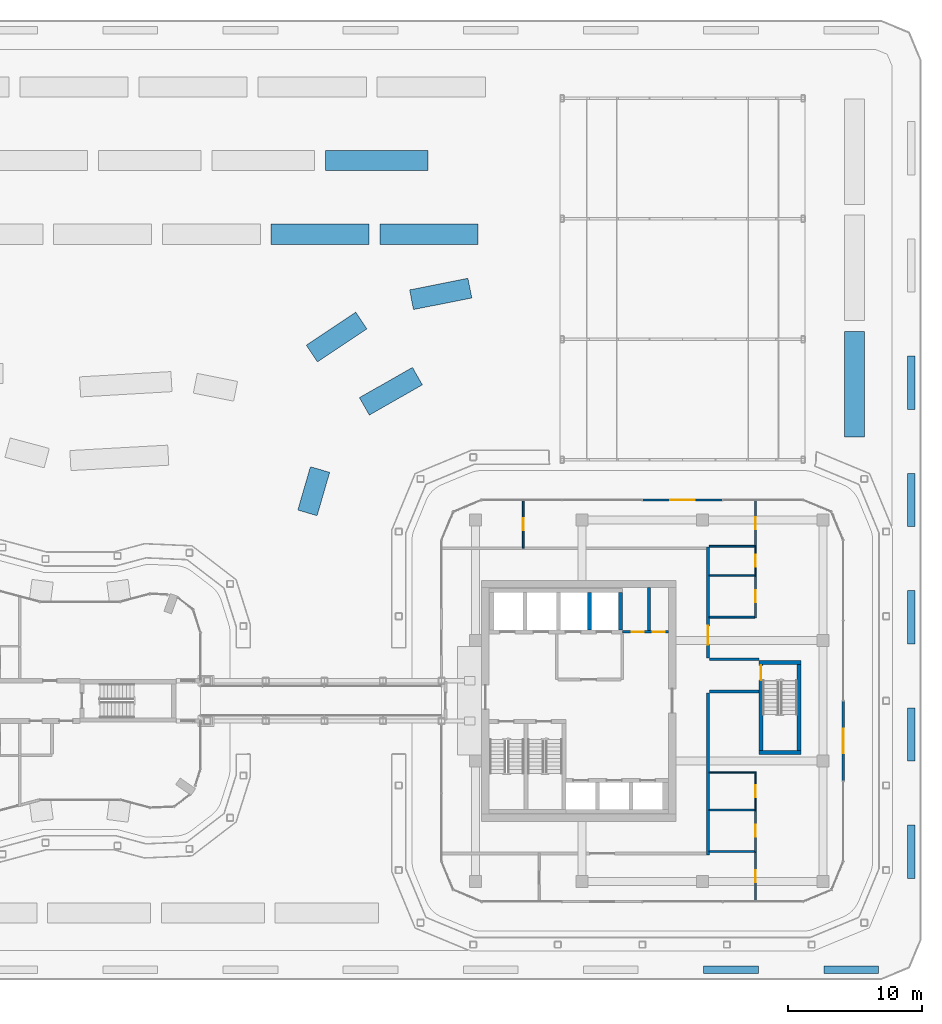
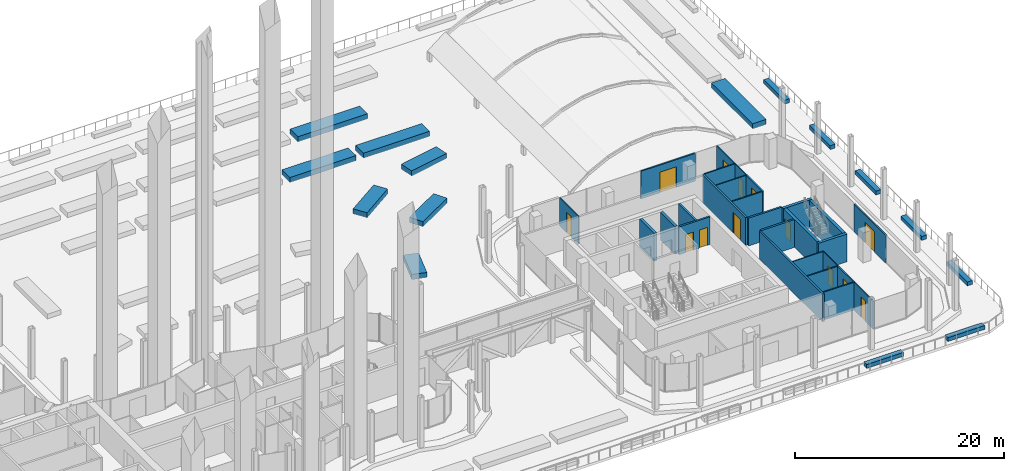
# One storey, part 28 of 33: 42 walls, 13 doors, 13 openings.
"""IFC4 building model written with IfcOpenShell, lengths in metres."""

from ifc_helpers import new_model, si_unit, direction, frame, frame_2d, origin, place, context, subcontext, project, spatial, rectangle, extrude, material, layer, layer_set, type_object, element, fill, save


model = new_model("IFC4")

# Units and contexts
model_context = context("Model", 3, precision=1e-05, world=origin(), true_north=direction((0.0, 1.0)))
body_context = subcontext(model_context, "Body", "Model", "MODEL_VIEW")
ifc_project = project(units=[si_unit("LENGTHUNIT", "METRE"), si_unit("AREAUNIT", "SQUARE_METRE"), si_unit("VOLUMEUNIT", "CUBIC_METRE"), si_unit("PLANEANGLEUNIT", "RADIAN"), si_unit("MASSUNIT", "GRAM", prefix="KILO")], contexts=[model_context])

# Site, building, storey
site_placement = place(None, origin())
site = spatial("IfcSite", under=ifc_project, at=site_placement, CompositionType="ELEMENT")
building_placement = place(site_placement, origin())
building = spatial("IfcBuilding", under=site, at=building_placement, Name="Plateau Cross Towers", CompositionType="ELEMENT")
storey_placement = place(building_placement, frame((0.0, 0.0, 26.800048828125)))
storey = spatial("IfcBuildingStorey", under=building, at=storey_placement, Name="L05", CompositionType="ELEMENT", Elevation=26.800048828125)

# Wall, openings, doors
ifc_material_1 = material(Name="Concrete block, plastered both sides", Category="concrete")
ifc_layer_1 = layer(ifc_material_1, 0.199951171875)
ifc_layer_set_1 = layer_set([ifc_layer_1], Name="Concrete block, plastered both sides")
wall_type_1 = type_object("IfcWallType", Name="Core partition 200", PredefinedType="PARTITIONING", material=ifc_layer_set_1)
wall_1_placement = place(storey_placement, frame((85.5, 14.14990234375, 0.0), z_axis=(0.0, 0.0, 1.0), x_axis=(1.0, 0.0, 0.0)))
wall_1 = element("IfcWall", 1, at=wall_1_placement, inside=storey, type_object=wall_type_1, Name="Core partition", PredefinedType="PARTITIONING", context=body_context, shape_type="SweptSolid", body=[
    extrude(rectangle(XDim=3.449951171875, YDim=0.199951171875, at=frame_2d((1.72509765625, 0.0))), origin(), (0.0, 0.0, 1.0), 3.25),
])
opening_1_placement = place(wall_1_placement, frame((0.699951171875, 0.0, 0.0)))
opening_1 = element("IfcOpeningElement", 2, at=opening_1_placement, cuts=wall_1, Name="Opening RD2", PredefinedType="OPENING", context=body_context, shape_type="SweptSolid", body=[
    extrude(rectangle(XDim=0.89990234375, YDim=2.10009765625, at=frame_2d((0.449951171875, 1.050048828125))), frame((0.0, 0.10986328125, 0.0), z_axis=(0.0, -1.0, 0.0), x_axis=(1.0, 0.0, 0.0)), (0.0, 0.0, 1.0), 0.219970703125),
])
opening_2_placement = place(wall_1_placement, frame((2.27490234375, 0.0, 0.0)))
opening_2 = element("IfcOpeningElement", 3, at=opening_2_placement, cuts=wall_1, Name="Opening RD2", PredefinedType="OPENING", context=body_context, shape_type="SweptSolid", body=[
    extrude(rectangle(XDim=0.89990234375, YDim=2.10009765625, at=frame_2d((0.449951171875, 1.050048828125))), frame((0.0, 0.10986328125, 0.0), z_axis=(0.0, -1.0, 0.0), x_axis=(1.0, 0.0, 0.0)), (0.0, 0.0, 1.0), 0.219970703125),
])
ifc_material_2 = material(Name="Steel, fire-resisting leaf", Category="steel")
door_type_1 = type_object("IfcDoorType", Name="Core riser door 900", OperationType="NOTDEFINED", PredefinedType="DOOR", material=ifc_material_2)
door_1_placement = place(opening_1_placement, origin())
door_1 = element("IfcDoor", 4, at=door_1_placement, inside=storey, type_object=door_type_1, Name="Core riser door RD2", OperationType="SINGLE_SWING_LEFT", OverallHeight=2.10009765625, OverallWidth=0.89990234375, PredefinedType="DOOR", context=body_context, shape_type="SweptSolid", body=[
    extrude(rectangle(XDim=0.89990234375, YDim=2.10009765625, at=frame_2d((0.449951171875, 1.050048828125))), frame((0.0, 0.02490234375, 0.0), z_axis=(0.0, -1.0, 0.0), x_axis=(1.0, 0.0, 0.0)), (0.0, 0.0, 1.0), 0.050048828125),
])
fill(opening_1, door_1)
door_2_placement = place(opening_2_placement, origin())
door_2 = element("IfcDoor", 5, at=door_2_placement, inside=storey, type_object=door_type_1, Name="Core riser door RD2", OperationType="SINGLE_SWING_LEFT", OverallHeight=2.10009765625, OverallWidth=0.89990234375, PredefinedType="DOOR", context=body_context, shape_type="SweptSolid", body=[
    extrude(rectangle(XDim=0.89990234375, YDim=2.10009765625, at=frame_2d((0.449951171875, 1.050048828125))), frame((0.0, 0.02490234375, 0.0), z_axis=(0.0, -1.0, 0.0), x_axis=(1.0, 0.0, 0.0)), (0.0, 0.0, 1.0), 0.050048828125),
])
fill(opening_2, door_2)

# Walls
wall_2_placement = place(storey_placement, frame((87.5, 14.25, 0.0), z_axis=(0.0, 0.0, 1.0), x_axis=(0.0, 1.0, 0.0)))
element("IfcWall", 6, at=wall_2_placement, inside=storey, type_object=wall_type_1, Name="Core partition", PredefinedType="PARTITIONING", context=body_context, shape_type="SweptSolid", body=[
    extrude(rectangle(XDim=3.199951171875, YDim=0.199951171875, at=frame_2d((1.60009765625, 0.0))), origin(), (0.0, 0.0, 1.0), 3.25),
])
ifc_material_3 = material(Name="Concrete C60/75", Category="concrete")
ifc_layer_2 = layer(ifc_material_3, 0.300048828125)
ifc_layer_set_2 = layer_set([ifc_layer_2], Name="Concrete C60/75")
wall_type_2 = type_object("IfcWallType", Name="Core shaft wall 300", PredefinedType="SHEAR", material=ifc_layer_set_2)
for number, where, z_axis, x_axis, name in (
    (7, (83.050048828125, 14.300048828125, 0.0), (0.0, 0.0, 1.0), (0.0, 1.0, 0.0), "B-nb-v3@L05"),
    (8, (85.35009765625, 14.300048828125, 0.0), (0.0, 0.0, 1.0), (0.0, 1.0, 0.0), "B-nb-v4@L05"),
):
    element("IfcWall", number, at=place(storey_placement, frame(where, z_axis=z_axis, x_axis=x_axis)), inside=storey, type_object=wall_type_2, Name=name, PredefinedType="SHEAR", context=body_context, shape_type="SweptSolid", body=[
        extrude(rectangle(XDim=2.800048828125, YDim=0.300048828125, at=frame_2d((1.39990234375, 0.0))), origin(), (0.0, 0.0, 1.0), 3.25),
    ])

# Wall, opening, door
wall_3_placement = place(storey_placement, frame((95.85009765625, 5.300048828125, 0.0), z_axis=(0.0, 0.0, 1.0), x_axis=(0.0, 1.0, 0.0)))
wall_3 = element("IfcWall", 9, at=wall_3_placement, inside=storey, type_object=wall_type_2, Name="B-sb3-W@L05", PredefinedType="SHEAR", context=body_context, shape_type="SweptSolid", body=[
    extrude(rectangle(XDim=6.39990234375, YDim=0.300048828125, at=frame_2d((3.199951171875, 0.0))), origin(), (0.0, 0.0, 1.0), 3.25),
])
opening_3_placement = place(wall_3_placement, frame((5.25, 0.0, 0.0)))
opening_3 = element("IfcOpeningElement", 10, at=opening_3_placement, cuts=wall_3, Name="Opening SD", PredefinedType="OPENING", context=body_context, shape_type="SweptSolid", body=[
    extrude(rectangle(XDim=1.10009765625, YDim=2.10009765625, at=frame_2d((0.550048828125, 1.050048828125))), frame((0.0, 0.159912109375, 0.0), z_axis=(0.0, -1.0, 0.0), x_axis=(1.0, 0.0, 0.0)), (0.0, 0.0, 1.0), 0.320068359375),
])
door_type_2 = type_object("IfcDoorType", Name="Stair door 1100", OperationType="NOTDEFINED", PredefinedType="DOOR", material=ifc_material_2)
door_3_placement = place(opening_3_placement, origin())
door_3 = element("IfcDoor", 11, at=door_3_placement, inside=storey, type_object=door_type_2, Name="Stair door SD", OperationType="SINGLE_SWING_LEFT", OverallHeight=2.10009765625, OverallWidth=1.10009765625, PredefinedType="DOOR", context=body_context, shape_type="SweptSolid", body=[
    extrude(rectangle(XDim=1.10009765625, YDim=2.10009765625, at=frame_2d((0.550048828125, 1.050048828125))), frame((0.0, 0.02490234375, 0.0), z_axis=(0.0, -1.0, 0.0), x_axis=(1.0, 0.0, 0.0)), (0.0, 0.0, 1.0), 0.050048828125),
])
fill(opening_3, door_3)

# Walls
wall_4_placement = place(storey_placement, frame((98.699951171875, 5.300048828125, 0.0), z_axis=(0.0, 0.0, 1.0), x_axis=(0.0, 1.0, 0.0)))
element("IfcWall", 12, at=wall_4_placement, inside=storey, type_object=wall_type_2, Name="B-sb3-E@L05", PredefinedType="SHEAR", context=body_context, shape_type="SweptSolid", body=[
    extrude(rectangle(XDim=6.39990234375, YDim=0.300048828125, at=frame_2d((3.199951171875, 0.0))), origin(), (0.0, 0.0, 1.0), 3.25),
])
for number, where, z_axis, x_axis, name in (
    (13, (95.699951171875, 5.14990234375, 0.0), (0.0, 0.0, 1.0), (1.0, 0.0, 0.0), "B-sb3-S@L05"),
    (14, (95.699951171875, 11.85009765625, 0.0), (0.0, 0.0, 1.0), (1.0, 0.0, 0.0), "B-sb3-N@L05"),
):
    element("IfcWall", number, at=place(storey_placement, frame(where, z_axis=z_axis, x_axis=x_axis)), inside=storey, type_object=wall_type_2, Name=name, PredefinedType="SHEAR", context=body_context, shape_type="SweptSolid", body=[
        extrude(rectangle(XDim=3.150146484375, YDim=0.300048828125, at=frame_2d((1.5751953125, 0.0))), origin(), (0.0, 0.0, 1.0), 3.25),
    ])
ifc_material_4 = material(Name="Gypsum board on steel studs, two layers each side", Category="steel")
ifc_layer_3 = layer(ifc_material_4, 0.199951171875)
ifc_layer_set_3 = layer_set([ifc_layer_3], Name="Gypsum board on steel studs, two layers each side")
wall_type_3 = type_object("IfcWallType", Name="Corridor wall 200", PredefinedType="PARTITIONING", material=ifc_layer_set_3)
wall_5_placement = place(storey_placement, frame((91.89990234375, -2.5, 0.0), z_axis=(0.0, 0.0, 1.0), x_axis=(0.0, 1.0, 0.0)))
element("IfcWall", 15, at=wall_5_placement, inside=storey, type_object=wall_type_3, Name="Ring wall", PredefinedType="PARTITIONING", context=body_context, shape_type="SweptSolid", body=[
    extrude(rectangle(XDim=12.10009765625, YDim=0.199951171875, at=frame_2d((6.050048828125, 0.0))), origin(), (0.0, 0.0, 1.0), 3.25),
])

# Wall, opening, door
wall_6_placement = place(storey_placement, frame((91.89990234375, 12.199951171875, 0.0), z_axis=(0.0, 0.0, 1.0), x_axis=(0.0, 1.0, 0.0)))
wall_6 = element("IfcWall", 16, at=wall_6_placement, inside=storey, type_object=wall_type_3, Name="Ring wall", PredefinedType="PARTITIONING", context=body_context, shape_type="SweptSolid", body=[
    extrude(rectangle(XDim=8.300048828125, YDim=0.199951171875, at=frame_2d((4.14990234375, 0.0))), origin(), (0.0, 0.0, 1.0), 3.25),
])
opening_4_placement = place(wall_6_placement, frame((1.0, 0.0, 0.0)))
opening_4 = element("IfcOpeningElement", 17, at=opening_4_placement, cuts=wall_6, Name="Opening D-BE14", PredefinedType="OPENING", context=body_context, shape_type="SweptSolid", body=[
    extrude(rectangle(XDim=1.39990234375, YDim=2.39990234375, at=frame_2d((0.699951171875, 1.199951171875))), frame((0.0, 0.10986328125, 0.0), z_axis=(0.0, -1.0, 0.0), x_axis=(1.0, 0.0, 0.0)), (0.0, 0.0, 1.0), 0.219970703125),
])
ifc_material_5 = material(Name="Timber, fire-resisting leaves", Category="wood")
door_type_3 = type_object("IfcDoorType", Name="Tenant entrance double-leaf 1400x2400", OperationType="NOTDEFINED", PredefinedType="DOOR", material=ifc_material_5)
door_4_placement = place(opening_4_placement, origin())
door_4 = element("IfcDoor", 18, at=door_4_placement, inside=storey, type_object=door_type_3, Name="Door D-BE14", OperationType="DOUBLE_DOOR_SINGLE_SWING", OverallHeight=2.39990234375, OverallWidth=1.39990234375, PredefinedType="DOOR", context=body_context, shape_type="SweptSolid", body=[
    extrude(rectangle(XDim=1.39990234375, YDim=2.39990234375, at=frame_2d((0.699951171875, 1.199951171875))), frame((0.0, 0.02490234375, 0.0), z_axis=(0.0, -1.0, 0.0), x_axis=(1.0, 0.0, 0.0)), (0.0, 0.0, 1.0), 0.050048828125),
])
fill(opening_4, door_4)

# Walls
for number, where, z_axis, x_axis, name in (
    (19, (92.0, 9.699951171875, 0.0), (0.0, 0.0, 1.0), (1.0, 0.0, 0.0), "Ring wall"),
    (20, (92.0, 12.10009765625, 0.0), (0.0, 0.0, 1.0), (1.0, 0.0, 0.0), "Ring wall"),
):
    element("IfcWall", number, at=place(storey_placement, frame(where, z_axis=z_axis, x_axis=x_axis)), inside=storey, type_object=wall_type_3, Name=name, PredefinedType="PARTITIONING", context=body_context, shape_type="SweptSolid", body=[
        extrude(rectangle(XDim=3.699951171875, YDim=0.199951171875, at=frame_2d((1.85009765625, 0.0))), origin(), (0.0, 0.0, 1.0), 3.25),
    ])

# Wall, opening, door
ifc_material_6 = material(Name="Aluminium framed glazing", Category="aluminium")
ifc_layer_4 = layer(ifc_material_6, 0.159912109375)
ifc_layer_set_4 = layer_set([ifc_layer_4], Name="Aluminium framed glazing")
wall_type_4 = type_object("IfcWallType", Name="Entrance screen wall 160", PredefinedType="STANDARD", material=ifc_layer_set_4)
wall_7_placement = place(storey_placement, frame((102.0, 9.0, 0.0), z_axis=(0.0, 0.0, 1.0), x_axis=(0.0, -1.0, 0.0)))
wall_7 = element("IfcWall", 21, at=wall_7_placement, inside=storey, type_object=wall_type_4, Name="Deck B2 screen wall", PredefinedType="STANDARD", context=body_context, shape_type="SweptSolid", body=[
    extrude(rectangle(XDim=6.0, YDim=0.159912109375, at=frame_2d((3.0, 0.0))), origin(), (0.0, 0.0, 1.0), 3.25),
])
opening_5_placement = place(wall_7_placement, frame((2.10009765625, 0.0, 0.0)))
opening_5 = element("IfcOpeningElement", 22, at=opening_5_placement, cuts=wall_7, Name="Opening XD1", PredefinedType="OPENING", context=body_context, shape_type="SweptSolid", body=[
    extrude(rectangle(XDim=1.800048828125, YDim=2.39990234375, at=frame_2d((0.89990234375, 1.199951171875))), frame((0.0, 0.08984375, 0.0), z_axis=(0.0, -1.0, 0.0), x_axis=(1.0, 0.0, 0.0)), (0.0, 0.0, 1.0), 0.179931640625),
])
door_type_4 = type_object("IfcDoorType", Name="Terrace door double leaf 1800x2400", OperationType="DOUBLE_DOOR_SINGLE_SWING", PredefinedType="DOOR", material=ifc_material_6)
door_5_placement = place(opening_5_placement, origin())
door_5 = element("IfcDoor", 23, at=door_5_placement, inside=storey, type_object=door_type_4, Name="Deck B2 door", OperationType="SINGLE_SWING_LEFT", OverallHeight=2.39990234375, OverallWidth=1.800048828125, PredefinedType="DOOR", context=body_context, shape_type="SweptSolid", body=[
    extrude(rectangle(XDim=1.800048828125, YDim=2.39990234375, at=frame_2d((0.89990234375, 1.199951171875))), frame((0.0, 0.02490234375, 0.0), z_axis=(0.0, -1.0, 0.0), x_axis=(1.0, 0.0, 0.0)), (0.0, 0.0, 1.0), 0.050048828125),
])
fill(opening_5, door_5)

wall_8_placement = place(storey_placement, frame((87.0, 24.0, 0.0), z_axis=(0.0, 0.0, 1.0), x_axis=(1.0, 0.0, 0.0)))
wall_8 = element("IfcWall", 24, at=wall_8_placement, inside=storey, type_object=wall_type_4, Name="Deck B3 screen wall", PredefinedType="STANDARD", context=body_context, shape_type="SweptSolid", body=[
    extrude(rectangle(XDim=6.0, YDim=0.159912109375, at=frame_2d((3.0, 0.0))), origin(), (0.0, 0.0, 1.0), 3.25),
])
opening_6_placement = place(wall_8_placement, frame((2.10009765625, 0.0, 0.0)))
opening_6 = element("IfcOpeningElement", 25, at=opening_6_placement, cuts=wall_8, Name="Opening XD1", PredefinedType="OPENING", context=body_context, shape_type="SweptSolid", body=[
    extrude(rectangle(XDim=1.800048828125, YDim=2.39990234375, at=frame_2d((0.89990234375, 1.199951171875))), frame((0.0, 0.08984375, 0.0), z_axis=(0.0, -1.0, 0.0), x_axis=(1.0, 0.0, 0.0)), (0.0, 0.0, 1.0), 0.179931640625),
])
door_6_placement = place(opening_6_placement, origin())
door_6 = element("IfcDoor", 26, at=door_6_placement, inside=storey, type_object=door_type_4, Name="Deck B3 door", OperationType="SINGLE_SWING_LEFT", OverallHeight=2.39990234375, OverallWidth=1.800048828125, PredefinedType="DOOR", context=body_context, shape_type="SweptSolid", body=[
    extrude(rectangle(XDim=1.800048828125, YDim=2.39990234375, at=frame_2d((0.89990234375, 1.199951171875))), frame((0.0, 0.02490234375, 0.0), z_axis=(0.0, -1.0, 0.0), x_axis=(1.0, 0.0, 0.0)), (0.0, 0.0, 1.0), 0.050048828125),
])
fill(opening_6, door_6)

ifc_material_7 = material(Name="Gypsum board on staggered steel studs, mineral wool, two layers each side", Category="steel")
ifc_layer_5 = layer(ifc_material_7, 0.139892578125)
ifc_layer_set_5 = layer_set([ifc_layer_5], Name="Gypsum board on staggered steel studs, mineral wool, two layers each side")
wall_type_5 = type_object("IfcWallType", Name="Meeting room acoustic partition 140", PredefinedType="PARTITIONING", material=ifc_layer_set_5)
wall_9_placement = place(storey_placement, frame((95.449951171875, -6.0, 0.0), z_axis=(0.0, 0.0, 1.0), x_axis=(0.0, 1.0, 0.0)))
wall_9 = element("IfcWall", 27, at=wall_9_placement, inside=storey, type_object=wall_type_5, Name="Acoustic wall", PredefinedType="PARTITIONING", context=body_context, shape_type="SweptSolid", body=[
    extrude(rectangle(XDim=3.800048828125, YDim=0.139892578125, at=frame_2d((1.89990234375, 0.0))), origin(), (0.0, 0.0, 1.0), 3.25),
])
opening_7_placement = place(wall_9_placement, frame((1.449951171875, 0.0, 0.0)))
opening_7 = element("IfcOpeningElement", 28, at=opening_7_placement, cuts=wall_9, Name="Opening D-BM9", PredefinedType="OPENING", context=body_context, shape_type="SweptSolid", body=[
    extrude(rectangle(XDim=0.89990234375, YDim=2.39990234375, at=frame_2d((0.449951171875, 1.199951171875))), frame((0.0, 0.079833984375, 0.0), z_axis=(0.0, -1.0, 0.0), x_axis=(1.0, 0.0, 0.0)), (0.0, 0.0, 1.0), 0.159912109375),
])
ifc_material_8 = material(Name="Timber leaf, full height", Category="wood")
door_type_5 = type_object("IfcDoorType", Name="Meeting room door 900x2400", OperationType="NOTDEFINED", PredefinedType="DOOR", material=ifc_material_8)
door_7_placement = place(opening_7_placement, origin())
door_7 = element("IfcDoor", 29, at=door_7_placement, inside=storey, type_object=door_type_5, Name="Door D-BM9", OperationType="SINGLE_SWING_LEFT", OverallHeight=2.39990234375, OverallWidth=0.89990234375, PredefinedType="DOOR", context=body_context, shape_type="SweptSolid", body=[
    extrude(rectangle(XDim=0.89990234375, YDim=2.39990234375, at=frame_2d((0.449951171875, 1.199951171875))), frame((0.0, 0.02490234375, 0.0), z_axis=(0.0, -1.0, 0.0), x_axis=(1.0, 0.0, 0.0)), (0.0, 0.0, 1.0), 0.050048828125),
])
fill(opening_7, door_7)

# Wall
wall_10_placement = place(storey_placement, frame((92.0, -2.25, 0.0), z_axis=(0.0, 0.0, 1.0), x_axis=(1.0, 0.0, 0.0)))
element("IfcWall", 30, at=wall_10_placement, inside=storey, type_object=wall_type_5, Name="Acoustic wall", PredefinedType="PARTITIONING", context=body_context, shape_type="SweptSolid", body=[
    extrude(rectangle(XDim=3.3798828125, YDim=0.139892578125, at=frame_2d((1.68994140625, 0.0))), origin(), (0.0, 0.0, 1.0), 3.25),
])

# Wall, opening, door
wall_11_placement = place(storey_placement, frame((95.449951171875, -2.300048828125, 0.0), z_axis=(0.0, 0.0, 1.0), x_axis=(0.0, 1.0, 0.0)))
wall_11 = element("IfcWall", 31, at=wall_11_placement, inside=storey, type_object=wall_type_5, Name="Acoustic wall", PredefinedType="PARTITIONING", context=body_context, shape_type="SweptSolid", body=[
    extrude(rectangle(XDim=3.199951171875, YDim=0.139892578125, at=frame_2d((1.60009765625, 0.0))), origin(), (0.0, 0.0, 1.0), 3.25),
])
opening_8_placement = place(wall_11_placement, frame((1.14990234375, 0.0, 0.0)))
opening_8 = element("IfcOpeningElement", 32, at=opening_8_placement, cuts=wall_11, Name="Opening D-BM9", PredefinedType="OPENING", context=body_context, shape_type="SweptSolid", body=[
    extrude(rectangle(XDim=0.89990234375, YDim=2.39990234375, at=frame_2d((0.449951171875, 1.199951171875))), frame((0.0, 0.079833984375, 0.0), z_axis=(0.0, -1.0, 0.0), x_axis=(1.0, 0.0, 0.0)), (0.0, 0.0, 1.0), 0.159912109375),
])
door_8_placement = place(opening_8_placement, origin())
door_8 = element("IfcDoor", 33, at=door_8_placement, inside=storey, type_object=door_type_5, Name="Door D-BM9", OperationType="SINGLE_SWING_LEFT", OverallHeight=2.39990234375, OverallWidth=0.89990234375, PredefinedType="DOOR", context=body_context, shape_type="SweptSolid", body=[
    extrude(rectangle(XDim=0.89990234375, YDim=2.39990234375, at=frame_2d((0.449951171875, 1.199951171875))), frame((0.0, 0.02490234375, 0.0), z_axis=(0.0, -1.0, 0.0), x_axis=(1.0, 0.0, 0.0)), (0.0, 0.0, 1.0), 0.050048828125),
])
fill(opening_8, door_8)

# Wall
wall_12_placement = place(storey_placement, frame((92.0, 0.85009765625, 0.0), z_axis=(0.0, 0.0, 1.0), x_axis=(1.0, 0.0, 0.0)))
element("IfcWall", 34, at=wall_12_placement, inside=storey, type_object=wall_type_5, Name="Acoustic wall", PredefinedType="PARTITIONING", context=body_context, shape_type="SweptSolid", body=[
    extrude(rectangle(XDim=3.3798828125, YDim=0.139892578125, at=frame_2d((1.68994140625, 0.0))), origin(), (0.0, 0.0, 1.0), 3.25),
])

# Wall, opening, door
wall_13_placement = place(storey_placement, frame((95.449951171875, 20.5, 0.0), z_axis=(0.0, 0.0, 1.0), x_axis=(0.0, 1.0, 0.0)))
wall_13 = element("IfcWall", 35, at=wall_13_placement, inside=storey, type_object=wall_type_5, Name="Acoustic wall", PredefinedType="PARTITIONING", context=body_context, shape_type="SweptSolid", body=[
    extrude(rectangle(XDim=3.5, YDim=0.139892578125, at=frame_2d((1.75, 0.0))), origin(), (0.0, 0.0, 1.0), 3.25),
])
opening_9_placement = place(wall_13_placement, frame((1.300048828125, 0.0, 0.0)))
opening_9 = element("IfcOpeningElement", 36, at=opening_9_placement, cuts=wall_13, Name="Opening D-BM9", PredefinedType="OPENING", context=body_context, shape_type="SweptSolid", body=[
    extrude(rectangle(XDim=0.89990234375, YDim=2.39990234375, at=frame_2d((0.449951171875, 1.199951171875))), frame((0.0, 0.079833984375, 0.0), z_axis=(0.0, -1.0, 0.0), x_axis=(1.0, 0.0, 0.0)), (0.0, 0.0, 1.0), 0.159912109375),
])
door_9_placement = place(opening_9_placement, origin())
door_9 = element("IfcDoor", 37, at=door_9_placement, inside=storey, type_object=door_type_5, Name="Door D-BM9", OperationType="SINGLE_SWING_LEFT", OverallHeight=2.39990234375, OverallWidth=0.89990234375, PredefinedType="DOOR", context=body_context, shape_type="SweptSolid", body=[
    extrude(rectangle(XDim=0.89990234375, YDim=2.39990234375, at=frame_2d((0.449951171875, 1.199951171875))), frame((0.0, 0.02490234375, 0.0), z_axis=(0.0, -1.0, 0.0), x_axis=(1.0, 0.0, 0.0)), (0.0, 0.0, 1.0), 0.050048828125),
])
fill(opening_9, door_9)

# Wall
wall_14_placement = place(storey_placement, frame((92.0, 20.550048828125, 0.0), z_axis=(0.0, 0.0, 1.0), x_axis=(1.0, 0.0, 0.0)))
element("IfcWall", 38, at=wall_14_placement, inside=storey, type_object=wall_type_5, Name="Acoustic wall", PredefinedType="PARTITIONING", context=body_context, shape_type="SweptSolid", body=[
    extrude(rectangle(XDim=3.3798828125, YDim=0.139892578125, at=frame_2d((1.68994140625, 0.0))), origin(), (0.0, 0.0, 1.0), 3.25),
])

# Wall, opening, door
wall_15_placement = place(storey_placement, frame((95.449951171875, 15.199951171875, 0.0), z_axis=(0.0, 0.0, 1.0), x_axis=(0.0, 1.0, 0.0)))
wall_15 = element("IfcWall", 39, at=wall_15_placement, inside=storey, type_object=wall_type_5, Name="Acoustic wall", PredefinedType="PARTITIONING", context=body_context, shape_type="SweptSolid", body=[
    extrude(rectangle(XDim=3.199951171875, YDim=0.139892578125, at=frame_2d((1.60009765625, 0.0))), origin(), (0.0, 0.0, 1.0), 3.25),
])
opening_10_placement = place(wall_15_placement, frame((1.14990234375, 0.0, 0.0)))
opening_10 = element("IfcOpeningElement", 40, at=opening_10_placement, cuts=wall_15, Name="Opening D-BM9", PredefinedType="OPENING", context=body_context, shape_type="SweptSolid", body=[
    extrude(rectangle(XDim=0.89990234375, YDim=2.39990234375, at=frame_2d((0.449951171875, 1.199951171875))), frame((0.0, 0.079833984375, 0.0), z_axis=(0.0, -1.0, 0.0), x_axis=(1.0, 0.0, 0.0)), (0.0, 0.0, 1.0), 0.159912109375),
])
door_10_placement = place(opening_10_placement, origin())
door_10 = element("IfcDoor", 41, at=door_10_placement, inside=storey, type_object=door_type_5, Name="Door D-BM9", OperationType="SINGLE_SWING_LEFT", OverallHeight=2.39990234375, OverallWidth=0.89990234375, PredefinedType="DOOR", context=body_context, shape_type="SweptSolid", body=[
    extrude(rectangle(XDim=0.89990234375, YDim=2.39990234375, at=frame_2d((0.449951171875, 1.199951171875))), frame((0.0, 0.02490234375, 0.0), z_axis=(0.0, -1.0, 0.0), x_axis=(1.0, 0.0, 0.0)), (0.0, 0.0, 1.0), 0.050048828125),
])
fill(opening_10, door_10)

# Wall
wall_16_placement = place(storey_placement, frame((92.0, 15.25, 0.0), z_axis=(0.0, 0.0, 1.0), x_axis=(1.0, 0.0, 0.0)))
element("IfcWall", 42, at=wall_16_placement, inside=storey, type_object=wall_type_5, Name="Acoustic wall", PredefinedType="PARTITIONING", context=body_context, shape_type="SweptSolid", body=[
    extrude(rectangle(XDim=3.3798828125, YDim=0.139892578125, at=frame_2d((1.68994140625, 0.0))), origin(), (0.0, 0.0, 1.0), 3.25),
])

# Wall, opening, door
wall_17_placement = place(storey_placement, frame((78.10009765625, 20.39990234375, 0.0), z_axis=(0.0, 0.0, 1.0), x_axis=(0.0, 1.0, 0.0)))
wall_17 = element("IfcWall", 43, at=wall_17_placement, inside=storey, type_object=wall_type_5, Name="Acoustic wall", PredefinedType="PARTITIONING", context=body_context, shape_type="SweptSolid", body=[
    extrude(rectangle(XDim=3.60009765625, YDim=0.139892578125, at=frame_2d((1.800048828125, 0.0))), origin(), (0.0, 0.0, 1.0), 3.25),
])
opening_11_placement = place(wall_17_placement, frame((1.35009765625, 0.0, 0.0)))
opening_11 = element("IfcOpeningElement", 44, at=opening_11_placement, cuts=wall_17, Name="Opening D-BM9", PredefinedType="OPENING", context=body_context, shape_type="SweptSolid", body=[
    extrude(rectangle(XDim=0.89990234375, YDim=2.39990234375, at=frame_2d((0.449951171875, 1.199951171875))), frame((0.0, 0.079833984375, 0.0), z_axis=(0.0, -1.0, 0.0), x_axis=(1.0, 0.0, 0.0)), (0.0, 0.0, 1.0), 0.159912109375),
])
door_11_placement = place(opening_11_placement, origin())
door_11 = element("IfcDoor", 45, at=door_11_placement, inside=storey, type_object=door_type_5, Name="Door D-BM9", OperationType="SINGLE_SWING_LEFT", OverallHeight=2.39990234375, OverallWidth=0.89990234375, PredefinedType="DOOR", context=body_context, shape_type="SweptSolid", body=[
    extrude(rectangle(XDim=0.89990234375, YDim=2.39990234375, at=frame_2d((0.449951171875, 1.199951171875))), frame((0.0, 0.02490234375, 0.0), z_axis=(0.0, -1.0, 0.0), x_axis=(1.0, 0.0, 0.0)), (0.0, 0.0, 1.0), 0.050048828125),
])
fill(opening_11, door_11)

ifc_material_9 = material(Name="Gypsum board on steel studs", Category="steel")
ifc_layer_6 = layer(ifc_material_9, 0.10009765625)
ifc_layer_set_6 = layer_set([ifc_layer_6], Name="Gypsum board on steel studs")
wall_type_6 = type_object("IfcWallType", Name="Office partition 100", PredefinedType="PARTITIONING", material=ifc_layer_set_6)
wall_18_placement = place(storey_placement, frame((95.449951171875, 0.800048828125, 0.0), z_axis=(0.0, 0.0, 1.0), x_axis=(0.0, 1.0, 0.0)))
wall_18 = element("IfcWall", 46, at=wall_18_placement, inside=storey, type_object=wall_type_6, Name="Part wall", PredefinedType="PARTITIONING", context=body_context, shape_type="SweptSolid", body=[
    extrude(rectangle(XDim=2.89990234375, YDim=0.10009765625, at=frame_2d((1.449951171875, 0.0))), origin(), (0.0, 0.0, 1.0), 3.25),
])
opening_12_placement = place(wall_18_placement, frame((1.0, 0.0, 0.0)))
opening_12 = element("IfcOpeningElement", 47, at=opening_12_placement, cuts=wall_18, Name="Opening D-BR9", PredefinedType="OPENING", context=body_context, shape_type="SweptSolid", body=[
    extrude(rectangle(XDim=0.89990234375, YDim=2.10009765625, at=frame_2d((0.449951171875, 1.050048828125))), frame((0.0, 0.06005859375, 0.0), z_axis=(0.0, -1.0, 0.0), x_axis=(1.0, 0.0, 0.0)), (0.0, 0.0, 1.0), 0.1201171875),
])
ifc_material_10 = material(Name="Timber leaf", Category="wood")
door_type_6 = type_object("IfcDoorType", Name="Office room door 900", OperationType="NOTDEFINED", PredefinedType="DOOR", material=ifc_material_10)
door_12_placement = place(opening_12_placement, origin())
door_12 = element("IfcDoor", 48, at=door_12_placement, inside=storey, type_object=door_type_6, Name="Door D-BR9", OperationType="SINGLE_SWING_LEFT", OverallHeight=2.10009765625, OverallWidth=0.89990234375, PredefinedType="DOOR", context=body_context, shape_type="SweptSolid", body=[
    extrude(rectangle(XDim=0.89990234375, YDim=2.10009765625, at=frame_2d((0.449951171875, 1.050048828125))), frame((0.0, 0.02490234375, 0.0), z_axis=(0.0, -1.0, 0.0), x_axis=(1.0, 0.0, 0.0)), (0.0, 0.0, 1.0), 0.050048828125),
])
fill(opening_12, door_12)

# Wall
wall_19_placement = place(storey_placement, frame((92.0, 3.64990234375, 0.0), z_axis=(0.0, 0.0, 1.0), x_axis=(1.0, 0.0, 0.0)))
element("IfcWall", 49, at=wall_19_placement, inside=storey, type_object=wall_type_6, Name="Part wall", PredefinedType="PARTITIONING", context=body_context, shape_type="SweptSolid", body=[
    extrude(rectangle(XDim=3.39990234375, YDim=0.10009765625, at=frame_2d((1.699951171875, 0.0))), origin(), (0.0, 0.0, 1.0), 3.25),
])

# Wall, opening, door
wall_20_placement = place(storey_placement, frame((95.449951171875, 18.300048828125, 0.0), z_axis=(0.0, 0.0, 1.0), x_axis=(0.0, 1.0, 0.0)))
wall_20 = element("IfcWall", 50, at=wall_20_placement, inside=storey, type_object=wall_type_6, Name="Part wall", PredefinedType="PARTITIONING", context=body_context, shape_type="SweptSolid", body=[
    extrude(rectangle(XDim=2.300048828125, YDim=0.10009765625, at=frame_2d((1.14990234375, 0.0))), origin(), (0.0, 0.0, 1.0), 3.25),
])
opening_13_placement = place(wall_20_placement, frame((0.699951171875, 0.0, 0.0)))
opening_13 = element("IfcOpeningElement", 51, at=opening_13_placement, cuts=wall_20, Name="Opening D-BR9", PredefinedType="OPENING", context=body_context, shape_type="SweptSolid", body=[
    extrude(rectangle(XDim=0.89990234375, YDim=2.10009765625, at=frame_2d((0.449951171875, 1.050048828125))), frame((0.0, 0.06005859375, 0.0), z_axis=(0.0, -1.0, 0.0), x_axis=(1.0, 0.0, 0.0)), (0.0, 0.0, 1.0), 0.1201171875),
])
door_13_placement = place(opening_13_placement, origin())
door_13 = element("IfcDoor", 52, at=door_13_placement, inside=storey, type_object=door_type_6, Name="Door D-BR9", OperationType="SINGLE_SWING_LEFT", OverallHeight=2.10009765625, OverallWidth=0.89990234375, PredefinedType="DOOR", context=body_context, shape_type="SweptSolid", body=[
    extrude(rectangle(XDim=0.89990234375, YDim=2.10009765625, at=frame_2d((0.449951171875, 1.050048828125))), frame((0.0, 0.02490234375, 0.0), z_axis=(0.0, -1.0, 0.0), x_axis=(1.0, 0.0, 0.0)), (0.0, 0.0, 1.0), 0.050048828125),
])
fill(opening_13, door_13)

# Walls
wall_21_placement = place(storey_placement, frame((92.0, 18.35009765625, 0.0), z_axis=(0.0, 0.0, 1.0), x_axis=(1.0, 0.0, 0.0)))
element("IfcWall", 53, at=wall_21_placement, inside=storey, type_object=wall_type_6, Name="Part wall", PredefinedType="PARTITIONING", context=body_context, shape_type="SweptSolid", body=[
    extrude(rectangle(XDim=3.39990234375, YDim=0.10009765625, at=frame_2d((1.699951171875, 0.0))), origin(), (0.0, 0.0, 1.0), 3.25),
])
ifc_material_11 = material(Name="Concrete C30/37", Category="concrete")
ifc_layer_7 = layer(ifc_material_11, 0.550048828125)
ifc_layer_set_7 = layer_set([ifc_layer_7], Name="Concrete C30/37")
wall_type_7 = type_object("IfcWallType", Name="Planter upstand 550", PredefinedType="STANDARD", material=ifc_layer_set_7)
for number, where, z_axis, x_axis, name in (
    (54, (107.0849609375, 34.745361328125, 0.0), (0.0, 0.0, 1.0), (0.0, -1.0, 0.0), "Planter 23"),
    (55, (107.0849609375, 25.989013671875, 0.0), (0.0, 0.0, 1.0), (0.0, -1.0, 0.0), "Planter 24"),
    (56, (107.0849609375, 17.232666015625, 0.0), (0.0, 0.0, 1.0), (0.0, -1.0, 0.0), "Planter 25"),
):
    element("IfcWall", number, at=place(storey_placement, frame(where, z_axis=z_axis, x_axis=x_axis)), inside=storey, type_object=wall_type_7, Name=name, PredefinedType="STANDARD", context=body_context, shape_type="SweptSolid", body=[
        extrude(rectangle(XDim=3.97802734375, YDim=0.550048828125, at=frame_2d((1.989013671875, 0.0))), origin(), (0.0, 0.0, 1.0), 0.449951171875),
    ])
wall_22_placement = place(storey_placement, frame((107.0849609375, 8.4765625, 0.0), z_axis=(0.0, 0.0, 1.0), x_axis=(0.0, -1.0, 0.0)))
element("IfcWall", 57, at=wall_22_placement, inside=storey, type_object=wall_type_7, Name="Planter 26", PredefinedType="STANDARD", context=body_context, shape_type="SweptSolid", body=[
    extrude(rectangle(XDim=3.978271484375, YDim=0.550048828125, at=frame_2d((1.9892578125, 0.0))), origin(), (0.0, 0.0, 1.0), 0.449951171875),
])
wall_23_placement = place(storey_placement, frame((107.0849609375, -0.27978515625, 0.0), z_axis=(0.0, 0.0, 1.0), x_axis=(0.0, -1.0, 0.0)))
element("IfcWall", 58, at=wall_23_placement, inside=storey, type_object=wall_type_7, Name="Planter 27", PredefinedType="STANDARD", context=body_context, shape_type="SweptSolid", body=[
    extrude(rectangle(XDim=3.97802734375, YDim=0.550048828125, at=frame_2d((1.989013671875, 0.0))), origin(), (0.0, 0.0, 1.0), 0.449951171875),
])
for number, where, z_axis, x_axis, name in (
    (59, (104.635986328125, -11.0849609375, 0.0), (0.0, 0.0, 1.0), (-1.0, 0.0, 0.0), "Planter 28"),
    (60, (95.663330078125, -11.0849609375, 0.0), (0.0, 0.0, 1.0), (-1.0, 0.0, 0.0), "Planter 29"),
):
    element("IfcWall", number, at=place(storey_placement, frame(where, z_axis=z_axis, x_axis=x_axis)), inside=storey, type_object=wall_type_7, Name=name, PredefinedType="STANDARD", context=body_context, shape_type="SweptSolid", body=[
        extrude(rectangle(XDim=4.086181640625, YDim=0.550048828125, at=frame_2d((2.04296875, 0.0))), origin(), (0.0, 0.0, 1.0), 0.449951171875),
    ])
ifc_layer_8 = layer(ifc_material_11, 1.5)
ifc_layer_set_8 = layer_set([ifc_layer_8], Name="Concrete C30/37")
wall_type_8 = type_object("IfcWallType", Name="Planting bed 1500", PredefinedType="STANDARD", material=ifc_layer_set_8)
wall_24_placement = place(storey_placement, frame((102.85009765625, 36.5947265625, 0.0), z_axis=(0.0, 0.0, 1.0), x_axis=(0.0, -1.0, 0.0)))
element("IfcWall", 61, at=wall_24_placement, inside=storey, type_object=wall_type_8, Name="Planter bed 9", PredefinedType="STANDARD", context=body_context, shape_type="SweptSolid", body=[
    extrude(rectangle(XDim=7.87744140625, YDim=1.5, at=frame_2d((3.938720703125, 0.0))), origin(), (0.0, 0.0, 1.0), 0.599853515625),
])
wall_25_placement = place(storey_placement, frame((63.324951171875, 49.35009765625, 0.0), z_axis=(0.0, 0.0, 1.0), x_axis=(1.0, 0.0, 0.0)))
element("IfcWall", 62, at=wall_25_placement, inside=storey, type_object=wall_type_8, Name="Planter bed 22", PredefinedType="STANDARD", context=body_context, shape_type="SweptSolid", body=[
    extrude(rectangle(XDim=7.681396484375, YDim=1.5, at=frame_2d((3.8408203125, 0.0))), origin(), (0.0, 0.0, 1.0), 0.599853515625),
])
wall_26_placement = place(storey_placement, frame((70.2001953125, 33.254638671875, 0.0), z_axis=(0.0, 0.0, 1.0), x_axis=(-0.868506319533, -0.49567809406, 0.0)))
element("IfcWall", 63, at=wall_26_placement, inside=storey, type_object=wall_type_8, Name="Planter bed 23", PredefinedType="STANDARD", context=body_context, shape_type="SweptSolid", body=[
    extrude(rectangle(XDim=4.56494140625, YDim=1.5, at=frame_2d((2.282470703125, 0.0))), origin(), (0.0, 0.0, 1.0), 0.599853515625),
])
wall_27_placement = place(storey_placement, frame((62.926513671875, 26.275390625, 0.0), z_axis=(0.0, 0.0, 1.0), x_axis=(-0.27927977475, -0.96020977261, 0.0)))
element("IfcWall", 64, at=wall_27_placement, inside=storey, type_object=wall_type_8, Name="Planter bed 24", PredefinedType="STANDARD", context=body_context, shape_type="SweptSolid", body=[
    extrude(rectangle(XDim=3.371826171875, YDim=1.5, at=frame_2d((1.68603515625, 0.0))), origin(), (0.0, 0.0, 1.0), 0.599853515625),
])
for number, where, z_axis, x_axis, name in (
    (65, (59.264404296875, 43.85009765625, 0.0), (0.0, 0.0, 1.0), (1.0, 0.0, 0.0), "Planter bed 33"),
    (66, (67.3857421875, 43.85009765625, 0.0), (0.0, 0.0, 1.0), (1.0, 0.0, 0.0), "Planter bed 34"),
):
    element("IfcWall", number, at=place(storey_placement, frame(where, z_axis=z_axis, x_axis=x_axis)), inside=storey, type_object=wall_type_8, Name=name, PredefinedType="STANDARD", context=body_context, shape_type="SweptSolid", body=[
        extrude(rectangle(XDim=7.3212890625, YDim=1.5, at=frame_2d((3.66064453125, 0.0))), origin(), (0.0, 0.0, 1.0), 0.599853515625),
    ])
for number, where, z_axis, x_axis, name in (
    (67, (74.1171875, 39.824462890625, 0.0), (0.0, 0.0, 1.0), (-0.980787256403, -0.195080387731, 0.0), "Planter bed 35"),
    (68, (66.00732421875, 37.4033203125, 0.0), (0.0, 0.0, 1.0), (-0.83147496762, -0.555562218137, 0.0), "Planter bed 36"),
):
    element("IfcWall", number, at=place(storey_placement, frame(where, z_axis=z_axis, x_axis=x_axis)), inside=storey, type_object=wall_type_8, Name=name, PredefinedType="STANDARD", context=body_context, shape_type="SweptSolid", body=[
        extrude(rectangle(XDim=4.44287109375, YDim=1.5, at=frame_2d((2.221435546875, 0.0))), origin(), (0.0, 0.0, 1.0), 0.599853515625),
    ])

save(model, "model.ifc")
